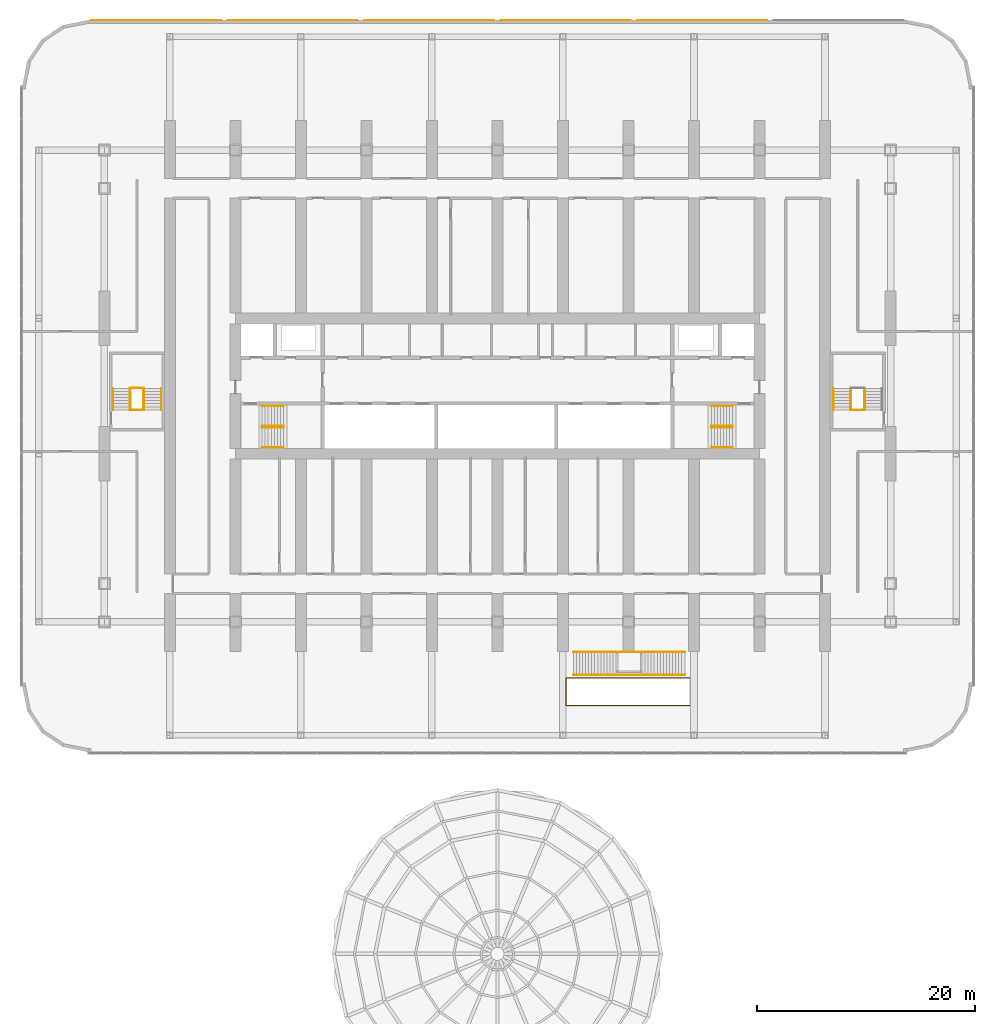
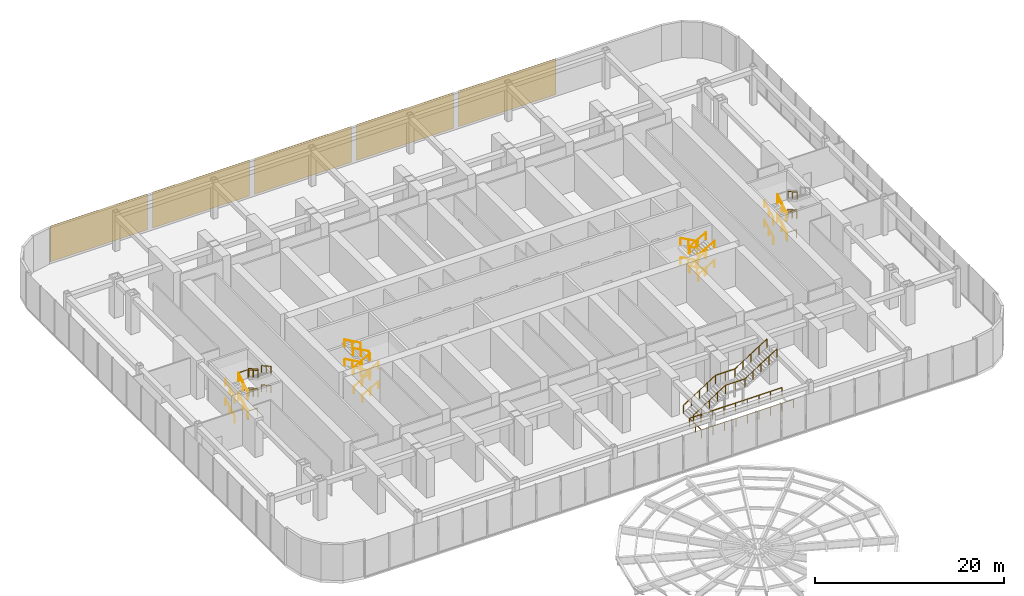
# One storey, part 36 of 37: 46 railings, 5 coverings.
"""IFC4 building model written with IfcOpenShell, lengths in metres."""

from ifc_helpers import new_model, si_unit, direction, frame, origin, origin_2d, place, context, subcontext, project, spatial, rectangle, circle, extrude, material, layer, layer_set, type_object, element, save


model = new_model("IFC4")

# Units and contexts
model_context = context("Model", 3, precision=1e-05, world=origin(), true_north=direction((0.0, 1.0)))
body_context = subcontext(model_context, "Body", "Model", "MODEL_VIEW")
ifc_project = project(units=[si_unit("LENGTHUNIT", "METRE"), si_unit("AREAUNIT", "SQUARE_METRE"), si_unit("VOLUMEUNIT", "CUBIC_METRE"), si_unit("PLANEANGLEUNIT", "RADIAN"), si_unit("MASSUNIT", "GRAM", prefix="KILO")], contexts=[model_context])

# Site, building, storey
site_placement = place(None, origin())
site = spatial("IfcSite", under=ifc_project, at=site_placement, CompositionType="ELEMENT")
building_placement = place(site_placement, origin())
building = spatial("IfcBuilding", under=site, at=building_placement, Name="Orbita Commons", CompositionType="ELEMENT")
storey_placement = place(building_placement, frame((0.0, 0.0, 6.0)))
storey = spatial("IfcBuildingStorey", under=building, at=storey_placement, Name="L01", CompositionType="ELEMENT", Elevation=6.0)

# Railings
ifc_material_1 = material(Name="Laminated glass, steel handrail", Category="steel")
railing_type_1 = type_object("IfcRailingType", Name="Feature stair balustrade, glass on steel stringer 1100", PredefinedType="BALUSTRADE", material=ifc_material_1)
railing_1_placement = place(storey_placement, frame((48.949951171875, 7.659912109375, 0.0)))
element("IfcRailing", 1, at=railing_1_placement, inside=storey, type_object=railing_type_1, Name="Grand stair L01 to L02 balustrade L", PredefinedType="BALUSTRADE", context=body_context, shape_type="SweptSolid", body=[
    extrude(circle(Radius=0.02490234375, at=origin_2d()), frame((0.0, 0.0, 1.0751953125), z_axis=(0.843140013903, 0.0, 0.53769407376), x_axis=(0.0, 1.0, 0.0)), (0.0, 0.0, 1.0), 4.6494140625),
    extrude(circle(Radius=0.02490234375, at=origin_2d()), frame((3.920166015625, 0.0, 3.5751953125), z_axis=(1.0, 0.0, 0.0), x_axis=(0.0, 1.0, 0.0)), (0.0, 0.0, 1.0), 2.369873046875),
    extrude(circle(Radius=0.02490234375, at=origin_2d()), frame((6.2900390625, 0.0, 3.5751953125), z_axis=(0.843124831705, 0.0, 0.537717879712), x_axis=(0.0, 1.0, 0.0)), (0.0, 0.0, 1.0), 4.649169921875),
    extrude(circle(Radius=0.02001953125, at=origin_2d()), origin(), (0.0, 0.0, 1.0), 1.050048828125),
    extrude(circle(Radius=0.02001953125, at=origin_2d()), frame((0.97998046875, 0.0, 0.625)), (0.0, 0.0, 1.0), 1.050048828125),
    extrude(circle(Radius=0.02001953125, at=origin_2d()), frame((1.9599609375, 0.0, 1.25)), (0.0, 0.0, 1.0), 1.050048828125),
    extrude(circle(Radius=0.02001953125, at=origin_2d()), frame((2.940185546875, 0.0, 1.875)), (0.0, 0.0, 1.0), 1.050048828125),
    extrude(circle(Radius=0.02001953125, at=origin_2d()), frame((3.920166015625, 0.0, 2.5)), (0.0, 0.0, 1.0), 1.050048828125),
    extrude(circle(Radius=0.02001953125, at=origin_2d()), frame((5.10498046875, 0.0, 2.5)), (0.0, 0.0, 1.0), 1.050048828125),
    extrude(circle(Radius=0.02001953125, at=origin_2d()), frame((6.2900390625, 0.0, 2.5)), (0.0, 0.0, 1.0), 1.050048828125),
    extrude(circle(Radius=0.02001953125, at=origin_2d()), frame((7.27001953125, 0.0, 3.125)), (0.0, 0.0, 1.0), 1.050048828125),
    extrude(circle(Radius=0.02001953125, at=origin_2d()), frame((8.25, 0.0, 3.75)), (0.0, 0.0, 1.0), 1.050048828125),
    extrude(circle(Radius=0.02001953125, at=origin_2d()), frame((9.22998046875, 0.0, 4.375)), (0.0, 0.0, 1.0), 1.050048828125),
    extrude(circle(Radius=0.02001953125, at=origin_2d()), frame((10.2099609375, 0.0, 5.0)), (0.0, 0.0, 1.0), 1.050048828125),
])
railing_2_placement = place(storey_placement, frame((48.949951171875, 5.5400390625, 0.0)))
element("IfcRailing", 2, at=railing_2_placement, inside=storey, type_object=railing_type_1, Name="Grand stair L01 to L02 balustrade R", PredefinedType="BALUSTRADE", context=body_context, shape_type="SweptSolid", body=[
    extrude(circle(Radius=0.02490234375, at=origin_2d()), frame((0.0, 0.0, 1.0751953125), z_axis=(0.843140013903, 0.0, 0.53769407376), x_axis=(0.0, 1.0, 0.0)), (0.0, 0.0, 1.0), 4.6494140625),
    extrude(circle(Radius=0.02490234375, at=origin_2d()), frame((3.920166015625, 0.0, 3.5751953125), z_axis=(1.0, 0.0, 0.0), x_axis=(0.0, 1.0, 0.0)), (0.0, 0.0, 1.0), 2.369873046875),
    extrude(circle(Radius=0.02490234375, at=origin_2d()), frame((6.2900390625, 0.0, 3.5751953125), z_axis=(0.843124831705, 0.0, 0.537717879712), x_axis=(0.0, 1.0, 0.0)), (0.0, 0.0, 1.0), 4.649169921875),
    extrude(circle(Radius=0.02001953125, at=origin_2d()), origin(), (0.0, 0.0, 1.0), 1.050048828125),
    extrude(circle(Radius=0.02001953125, at=origin_2d()), frame((0.97998046875, 0.0, 0.625)), (0.0, 0.0, 1.0), 1.050048828125),
    extrude(circle(Radius=0.02001953125, at=origin_2d()), frame((1.9599609375, 0.0, 1.25)), (0.0, 0.0, 1.0), 1.050048828125),
    extrude(circle(Radius=0.02001953125, at=origin_2d()), frame((2.940185546875, 0.0, 1.875)), (0.0, 0.0, 1.0), 1.050048828125),
    extrude(circle(Radius=0.02001953125, at=origin_2d()), frame((3.920166015625, 0.0, 2.5)), (0.0, 0.0, 1.0), 1.050048828125),
    extrude(circle(Radius=0.02001953125, at=origin_2d()), frame((5.10498046875, 0.0, 2.5)), (0.0, 0.0, 1.0), 1.050048828125),
    extrude(circle(Radius=0.02001953125, at=origin_2d()), frame((6.2900390625, 0.0, 2.5)), (0.0, 0.0, 1.0), 1.050048828125),
    extrude(circle(Radius=0.02001953125, at=origin_2d()), frame((7.27001953125, 0.0, 3.125)), (0.0, 0.0, 1.0), 1.050048828125),
    extrude(circle(Radius=0.02001953125, at=origin_2d()), frame((8.25, 0.0, 3.75)), (0.0, 0.0, 1.0), 1.050048828125),
    extrude(circle(Radius=0.02001953125, at=origin_2d()), frame((9.22998046875, 0.0, 4.375)), (0.0, 0.0, 1.0), 1.050048828125),
    extrude(circle(Radius=0.02001953125, at=origin_2d()), frame((10.2099609375, 0.0, 5.0)), (0.0, 0.0, 1.0), 1.050048828125),
])

# Coverings
ifc_material_2 = material(Name="Glass mosaic tesserae on precast backing", Category="concrete")
ifc_layer = layer(ifc_material_2, 0.02001953125)
ifc_layer_set = layer_set([ifc_layer], Name="Glass mosaic tesserae on precast backing")
covering_type = type_object("IfcCoveringType", Name="Mosaic cladding panel 20", PredefinedType="CLADDING", material=ifc_layer_set)
for number, where, z_axis, x_axis, name in (
    (3, (60.75, 65.510009765625, 0.0), (0.0, 0.0, 1.0), (1.0, 0.0, 0.0), "Mosaic mural panel L01 2"),
    (4, (48.25, 65.510009765625, 0.0), (0.0, 0.0, 1.0), (1.0, 0.0, 0.0), "Mosaic mural panel L01 3"),
    (5, (35.75, 65.510009765625, 0.0), (0.0, 0.0, 1.0), (1.0, 0.0, 0.0), "Mosaic mural panel L01 4"),
    (6, (23.25, 65.510009765625, 0.0), (0.0, 0.0, 1.0), (1.0, 0.0, 0.0), "Mosaic mural panel L01 5"),
    (7, (10.75, 65.510009765625, 0.0), (0.0, 0.0, 1.0), (1.0, 0.0, 0.0), "Mosaic mural panel L01 6"),
):
    element("IfcCovering", number, at=place(storey_placement, frame(where, z_axis=z_axis, x_axis=x_axis)), inside=storey, type_object=covering_type, Name=name, PredefinedType="CLADDING", context=body_context, shape_type="SweptSolid", body=[
        extrude(rectangle(XDim=11.89990234375, YDim=0.02001953125, at=origin_2d()), origin(), (0.0, 0.0, 1.0), 4.64990234375),
    ])

# Railings
ifc_material_3 = material(Name="Steel tube, painted", Category="steel")
railing_type_2 = type_object("IfcRailingType", Name="Stair handrail steel tube 900", PredefinedType="HANDRAIL", material=ifc_material_3)
for number, where, name in (
    (8, (20.449951171875, 28.18994140625, 0.15625), "Stair S1 handrail L01 flight 1"),
    (9, (20.449951171875, 26.360107421875, 0.15625), "Stair S1 handrail L01 flight 1"),
):
    element("IfcRailing", number, at=place(storey_placement, frame(where)), inside=storey, type_object=railing_type_2, Name=name, PredefinedType="HANDRAIL", context=body_context, shape_type="SweptSolid", body=[
        extrude(circle(Radius=0.02099609375, at=origin_2d()), frame((0.0, 0.0, 0.87890625), z_axis=(0.873232148454, 0.0, 0.487304437602), x_axis=(0.0, 1.0, 0.0)), (0.0, 0.0, 1.0), 2.244384765625),
        extrude(circle(Radius=0.02001953125, at=origin_2d()), origin(), (0.0, 0.0, 1.0), 0.85791015625),
        extrude(circle(Radius=0.02001953125, at=origin_2d()), frame((0.97998046875, 0.0, 0.546875)), (0.0, 0.0, 1.0), 0.85791015625),
        extrude(circle(Radius=0.02001953125, at=origin_2d()), frame((1.9599609375, 0.0, 1.09375)), (0.0, 0.0, 1.0), 0.85791015625),
    ])
for number, where, name in (
    (10, (22.409912109375, 28.360107421875, 1.40625), "Stair S1 handrail L01 flight 2"),
    (11, (22.409912109375, 30.18994140625, 1.40625), "Stair S1 handrail L01 flight 2"),
):
    element("IfcRailing", number, at=place(storey_placement, frame(where)), inside=storey, type_object=railing_type_2, Name=name, PredefinedType="HANDRAIL", context=body_context, shape_type="SweptSolid", body=[
        extrude(circle(Radius=0.02099609375, at=origin_2d()), frame((0.0, 0.0, 0.87890625), z_axis=(-0.873232148454, 0.0, 0.487304437602), x_axis=(0.0, -1.0, 0.0)), (0.0, 0.0, 1.0), 2.244384765625),
        extrude(circle(Radius=0.02001953125, at=origin_2d()), origin(), (0.0, 0.0, 1.0), 0.85791015625),
        extrude(circle(Radius=0.02001953125, at=origin_2d()), frame((-0.97998046875, 0.0, 0.546875)), (0.0, 0.0, 1.0), 0.85791015625),
        extrude(circle(Radius=0.02001953125, at=origin_2d()), frame((-1.9599609375, 0.0, 1.09375)), (0.0, 0.0, 1.0), 0.85791015625),
    ])
for number, where, name in (
    (12, (20.449951171875, 28.18994140625, 2.65625), "Stair S1 handrail L01 flight 3"),
    (13, (20.449951171875, 26.360107421875, 2.65625), "Stair S1 handrail L01 flight 3"),
):
    element("IfcRailing", number, at=place(storey_placement, frame(where)), inside=storey, type_object=railing_type_2, Name=name, PredefinedType="HANDRAIL", context=body_context, shape_type="SweptSolid", body=[
        extrude(circle(Radius=0.02099609375, at=origin_2d()), frame((0.0, 0.0, 0.87890625), z_axis=(0.873232148454, 0.0, 0.487304437602), x_axis=(0.0, 1.0, 0.0)), (0.0, 0.0, 1.0), 2.244384765625),
        extrude(circle(Radius=0.02001953125, at=origin_2d()), origin(), (0.0, 0.0, 1.0), 0.85791015625),
        extrude(circle(Radius=0.02001953125, at=origin_2d()), frame((0.97998046875, 0.0, 0.546875)), (0.0, 0.0, 1.0), 0.85791015625),
        extrude(circle(Radius=0.02001953125, at=origin_2d()), frame((1.9599609375, 0.0, 1.09375)), (0.0, 0.0, 1.0), 0.85791015625),
    ])
for number, where, name in (
    (14, (22.409912109375, 28.360107421875, 3.90625), "Stair S1 handrail L01 flight 4"),
    (15, (22.409912109375, 30.18994140625, 3.90625), "Stair S1 handrail L01 flight 4"),
    (16, (63.550048828125, 28.360107421875, 0.15625), "Stair S2 handrail L01 flight 1"),
    (17, (63.550048828125, 30.18994140625, 0.15625), "Stair S2 handrail L01 flight 1"),
):
    element("IfcRailing", number, at=place(storey_placement, frame(where)), inside=storey, type_object=railing_type_2, Name=name, PredefinedType="HANDRAIL", context=body_context, shape_type="SweptSolid", body=[
        extrude(circle(Radius=0.02099609375, at=origin_2d()), frame((0.0, 0.0, 0.87890625), z_axis=(-0.873232148454, 0.0, 0.487304437602), x_axis=(0.0, -1.0, 0.0)), (0.0, 0.0, 1.0), 2.244384765625),
        extrude(circle(Radius=0.02001953125, at=origin_2d()), origin(), (0.0, 0.0, 1.0), 0.85791015625),
        extrude(circle(Radius=0.02001953125, at=origin_2d()), frame((-0.97998046875, 0.0, 0.546875)), (0.0, 0.0, 1.0), 0.85791015625),
        extrude(circle(Radius=0.02001953125, at=origin_2d()), frame((-1.9599609375, 0.0, 1.09375)), (0.0, 0.0, 1.0), 0.85791015625),
    ])
for number, where, name in (
    (18, (61.590087890625, 28.18994140625, 1.40625), "Stair S2 handrail L01 flight 2"),
    (19, (61.590087890625, 26.360107421875, 1.40625), "Stair S2 handrail L01 flight 2"),
):
    element("IfcRailing", number, at=place(storey_placement, frame(where)), inside=storey, type_object=railing_type_2, Name=name, PredefinedType="HANDRAIL", context=body_context, shape_type="SweptSolid", body=[
        extrude(circle(Radius=0.02099609375, at=origin_2d()), frame((0.0, 0.0, 0.87890625), z_axis=(0.873232148454, 0.0, 0.487304437602), x_axis=(0.0, 1.0, 0.0)), (0.0, 0.0, 1.0), 2.244384765625),
        extrude(circle(Radius=0.02001953125, at=origin_2d()), origin(), (0.0, 0.0, 1.0), 0.85791015625),
        extrude(circle(Radius=0.02001953125, at=origin_2d()), frame((0.97998046875, 0.0, 0.546875)), (0.0, 0.0, 1.0), 0.85791015625),
        extrude(circle(Radius=0.02001953125, at=origin_2d()), frame((1.9599609375, 0.0, 1.09375)), (0.0, 0.0, 1.0), 0.85791015625),
    ])
for number, where, name in (
    (20, (63.550048828125, 28.360107421875, 2.65625), "Stair S2 handrail L01 flight 3"),
    (21, (63.550048828125, 30.18994140625, 2.65625), "Stair S2 handrail L01 flight 3"),
):
    element("IfcRailing", number, at=place(storey_placement, frame(where)), inside=storey, type_object=railing_type_2, Name=name, PredefinedType="HANDRAIL", context=body_context, shape_type="SweptSolid", body=[
        extrude(circle(Radius=0.02099609375, at=origin_2d()), frame((0.0, 0.0, 0.87890625), z_axis=(-0.873232148454, 0.0, 0.487304437602), x_axis=(0.0, -1.0, 0.0)), (0.0, 0.0, 1.0), 2.244384765625),
        extrude(circle(Radius=0.02001953125, at=origin_2d()), origin(), (0.0, 0.0, 1.0), 0.85791015625),
        extrude(circle(Radius=0.02001953125, at=origin_2d()), frame((-0.97998046875, 0.0, 0.546875)), (0.0, 0.0, 1.0), 0.85791015625),
        extrude(circle(Radius=0.02001953125, at=origin_2d()), frame((-1.9599609375, 0.0, 1.09375)), (0.0, 0.0, 1.0), 0.85791015625),
    ])
for number, where, name in (
    (22, (61.590087890625, 28.18994140625, 3.90625), "Stair S2 handrail L01 flight 4"),
    (23, (61.590087890625, 26.360107421875, 3.90625), "Stair S2 handrail L01 flight 4"),
):
    element("IfcRailing", number, at=place(storey_placement, frame(where)), inside=storey, type_object=railing_type_2, Name=name, PredefinedType="HANDRAIL", context=body_context, shape_type="SweptSolid", body=[
        extrude(circle(Radius=0.02099609375, at=origin_2d()), frame((0.0, 0.0, 0.87890625), z_axis=(0.873232148454, 0.0, 0.487304437602), x_axis=(0.0, 1.0, 0.0)), (0.0, 0.0, 1.0), 2.244384765625),
        extrude(circle(Radius=0.02001953125, at=origin_2d()), origin(), (0.0, 0.0, 1.0), 0.85791015625),
        extrude(circle(Radius=0.02001953125, at=origin_2d()), frame((0.97998046875, 0.0, 0.546875)), (0.0, 0.0, 1.0), 0.85791015625),
        extrude(circle(Radius=0.02001953125, at=origin_2d()), frame((1.9599609375, 0.0, 1.09375)), (0.0, 0.0, 1.0), 0.85791015625),
    ])
for number, where, name in (
    (24, (6.784912109375, 29.820068359375, 0.15625), "Stair PS1 handrail L01 flight 1"),
    (25, (8.35009765625, 29.820068359375, 0.15625), "Stair PS1 handrail L01 flight 1"),
):
    element("IfcRailing", number, at=place(storey_placement, frame(where)), inside=storey, type_object=railing_type_2, Name=name, PredefinedType="HANDRAIL", context=body_context, shape_type="SweptSolid", body=[
        extrude(circle(Radius=0.02099609375, at=origin_2d()), frame((0.0, 0.0, 0.87890625), z_axis=(0.0, 0.873232148454, 0.487304437602), x_axis=(-1.0, 0.0, 0.0)), (0.0, 0.0, 1.0), 2.244384765625),
        extrude(circle(Radius=0.02001953125, at=origin_2d()), origin(), (0.0, 0.0, 1.0), 0.85791015625),
        extrude(circle(Radius=0.02001953125, at=origin_2d()), frame((0.0, 0.97998046875, 0.546875)), (0.0, 0.0, 1.0), 0.85791015625),
        extrude(circle(Radius=0.02001953125, at=origin_2d()), frame((0.0, 1.9599609375, 1.09375)), (0.0, 0.0, 1.0), 0.85791015625),
    ])
for number, where, name in (
    (26, (11.215087890625, 31.780029296875, 1.40625), "Stair PS1 handrail L01 flight 2"),
    (27, (9.64990234375, 31.780029296875, 1.40625), "Stair PS1 handrail L01 flight 2"),
):
    element("IfcRailing", number, at=place(storey_placement, frame(where)), inside=storey, type_object=railing_type_2, Name=name, PredefinedType="HANDRAIL", context=body_context, shape_type="SweptSolid", body=[
        extrude(circle(Radius=0.02099609375, at=origin_2d()), frame((0.0, 0.0, 0.87890625), z_axis=(0.0, -0.873232148454, 0.487304437602), x_axis=(1.0, 0.0, 0.0)), (0.0, 0.0, 1.0), 2.244384765625),
        extrude(circle(Radius=0.02001953125, at=origin_2d()), origin(), (0.0, 0.0, 1.0), 0.85791015625),
        extrude(circle(Radius=0.02001953125, at=origin_2d()), frame((0.0, -0.97998046875, 0.546875)), (0.0, 0.0, 1.0), 0.85791015625),
        extrude(circle(Radius=0.02001953125, at=origin_2d()), frame((0.0, -1.9599609375, 1.09375)), (0.0, 0.0, 1.0), 0.85791015625),
    ])
for number, where, name in (
    (28, (6.784912109375, 29.820068359375, 2.65625), "Stair PS1 handrail L01 flight 3"),
    (29, (8.35009765625, 29.820068359375, 2.65625), "Stair PS1 handrail L01 flight 3"),
):
    element("IfcRailing", number, at=place(storey_placement, frame(where)), inside=storey, type_object=railing_type_2, Name=name, PredefinedType="HANDRAIL", context=body_context, shape_type="SweptSolid", body=[
        extrude(circle(Radius=0.02099609375, at=origin_2d()), frame((0.0, 0.0, 0.87890625), z_axis=(0.0, 0.873232148454, 0.487304437602), x_axis=(-1.0, 0.0, 0.0)), (0.0, 0.0, 1.0), 2.244384765625),
        extrude(circle(Radius=0.02001953125, at=origin_2d()), origin(), (0.0, 0.0, 1.0), 0.85791015625),
        extrude(circle(Radius=0.02001953125, at=origin_2d()), frame((0.0, 0.97998046875, 0.546875)), (0.0, 0.0, 1.0), 0.85791015625),
        extrude(circle(Radius=0.02001953125, at=origin_2d()), frame((0.0, 1.9599609375, 1.09375)), (0.0, 0.0, 1.0), 0.85791015625),
    ])
for number, where, name in (
    (30, (11.215087890625, 31.780029296875, 3.90625), "Stair PS1 handrail L01 flight 4"),
    (31, (9.64990234375, 31.780029296875, 3.90625), "Stair PS1 handrail L01 flight 4"),
):
    element("IfcRailing", number, at=place(storey_placement, frame(where)), inside=storey, type_object=railing_type_2, Name=name, PredefinedType="HANDRAIL", context=body_context, shape_type="SweptSolid", body=[
        extrude(circle(Radius=0.02099609375, at=origin_2d()), frame((0.0, 0.0, 0.87890625), z_axis=(0.0, -0.873232148454, 0.487304437602), x_axis=(1.0, 0.0, 0.0)), (0.0, 0.0, 1.0), 2.244384765625),
        extrude(circle(Radius=0.02001953125, at=origin_2d()), origin(), (0.0, 0.0, 1.0), 0.85791015625),
        extrude(circle(Radius=0.02001953125, at=origin_2d()), frame((0.0, -0.97998046875, 0.546875)), (0.0, 0.0, 1.0), 0.85791015625),
        extrude(circle(Radius=0.02001953125, at=origin_2d()), frame((0.0, -1.9599609375, 1.09375)), (0.0, 0.0, 1.0), 0.85791015625),
    ])
for number, where, name in (
    (32, (72.784912109375, 29.820068359375, 0.15625), "Stair PS2 handrail L01 flight 1"),
    (33, (74.35009765625, 29.820068359375, 0.15625), "Stair PS2 handrail L01 flight 1"),
):
    element("IfcRailing", number, at=place(storey_placement, frame(where)), inside=storey, type_object=railing_type_2, Name=name, PredefinedType="HANDRAIL", context=body_context, shape_type="SweptSolid", body=[
        extrude(circle(Radius=0.02099609375, at=origin_2d()), frame((0.0, 0.0, 0.87890625), z_axis=(0.0, 0.873232148454, 0.487304437602), x_axis=(-1.0, 0.0, 0.0)), (0.0, 0.0, 1.0), 2.244384765625),
        extrude(circle(Radius=0.02001953125, at=origin_2d()), origin(), (0.0, 0.0, 1.0), 0.85791015625),
        extrude(circle(Radius=0.02001953125, at=origin_2d()), frame((0.0, 0.97998046875, 0.546875)), (0.0, 0.0, 1.0), 0.85791015625),
        extrude(circle(Radius=0.02001953125, at=origin_2d()), frame((0.0, 1.9599609375, 1.09375)), (0.0, 0.0, 1.0), 0.85791015625),
    ])
railing_3_placement = place(storey_placement, frame((75.64990234375, 31.780029296875, 1.40625)))
element("IfcRailing", 34, at=railing_3_placement, inside=storey, type_object=railing_type_2, Name="Stair PS2 handrail L01 flight 2", PredefinedType="HANDRAIL", context=body_context, shape_type="SweptSolid", body=[
    extrude(circle(Radius=0.02099609375, at=origin_2d()), frame((0.0, 0.0, 0.87890625), z_axis=(0.0, -0.873232148454, 0.487304437602), x_axis=(1.0, 0.0, 0.0)), (0.0, 0.0, 1.0), 2.244384765625),
    extrude(circle(Radius=0.02001953125, at=origin_2d()), origin(), (0.0, 0.0, 1.0), 0.85791015625),
    extrude(circle(Radius=0.02001953125, at=origin_2d()), frame((0.0, -0.97998046875, 0.546875)), (0.0, 0.0, 1.0), 0.85791015625),
    extrude(circle(Radius=0.02001953125, at=origin_2d()), frame((0.0, -1.9599609375, 1.09375)), (0.0, 0.0, 1.0), 0.85791015625),
])
for number, where, name in (
    (35, (72.784912109375, 29.820068359375, 2.65625), "Stair PS2 handrail L01 flight 3"),
    (36, (74.35009765625, 29.820068359375, 2.65625), "Stair PS2 handrail L01 flight 3"),
):
    element("IfcRailing", number, at=place(storey_placement, frame(where)), inside=storey, type_object=railing_type_2, Name=name, PredefinedType="HANDRAIL", context=body_context, shape_type="SweptSolid", body=[
        extrude(circle(Radius=0.02099609375, at=origin_2d()), frame((0.0, 0.0, 0.87890625), z_axis=(0.0, 0.873232148454, 0.487304437602), x_axis=(-1.0, 0.0, 0.0)), (0.0, 0.0, 1.0), 2.244384765625),
        extrude(circle(Radius=0.02001953125, at=origin_2d()), origin(), (0.0, 0.0, 1.0), 0.85791015625),
        extrude(circle(Radius=0.02001953125, at=origin_2d()), frame((0.0, 0.97998046875, 0.546875)), (0.0, 0.0, 1.0), 0.85791015625),
        extrude(circle(Radius=0.02001953125, at=origin_2d()), frame((0.0, 1.9599609375, 1.09375)), (0.0, 0.0, 1.0), 0.85791015625),
    ])
railing_4_placement = place(storey_placement, frame((75.64990234375, 31.780029296875, 3.90625)))
element("IfcRailing", 37, at=railing_4_placement, inside=storey, type_object=railing_type_2, Name="Stair PS2 handrail L01 flight 4", PredefinedType="HANDRAIL", context=body_context, shape_type="SweptSolid", body=[
    extrude(circle(Radius=0.02099609375, at=origin_2d()), frame((0.0, 0.0, 0.87890625), z_axis=(0.0, -0.873232148454, 0.487304437602), x_axis=(1.0, 0.0, 0.0)), (0.0, 0.0, 1.0), 2.244384765625),
    extrude(circle(Radius=0.02001953125, at=origin_2d()), origin(), (0.0, 0.0, 1.0), 0.85791015625),
    extrude(circle(Radius=0.02001953125, at=origin_2d()), frame((0.0, -0.97998046875, 0.546875)), (0.0, 0.0, 1.0), 0.85791015625),
    extrude(circle(Radius=0.02001953125, at=origin_2d()), frame((0.0, -1.9599609375, 1.09375)), (0.0, 0.0, 1.0), 0.85791015625),
])
ifc_material_4 = material(Name="Steel balustrade, painted", Category="steel")
railing_type_3 = type_object("IfcRailingType", Name="Stair well guard, steel balustrade 1100", PredefinedType="GUARDRAIL", material=ifc_material_4)
railing_5_placement = place(storey_placement, frame((8.389892578125, 29.820068359375, 0.15625)))
element("IfcRailing", 38, at=railing_5_placement, inside=storey, type_object=railing_type_3, Name="Stair PS1 well guard L01 flight 1", PredefinedType="GUARDRAIL", context=body_context, shape_type="SweptSolid", body=[
    extrude(circle(Radius=0.02490234375, at=origin_2d()), frame((0.0, 0.0, 1.0751953125), z_axis=(0.0, 0.873232148454, 0.487304437602), x_axis=(-1.0, 0.0, 0.0)), (0.0, 0.0, 1.0), 2.244384765625),
    extrude(circle(Radius=0.02490234375, at=origin_2d()), origin(), (0.0, 0.0, 1.0), 1.050048828125),
    extrude(circle(Radius=0.02490234375, at=origin_2d()), frame((0.0, 0.97998046875, 0.546875)), (0.0, 0.0, 1.0), 1.050048828125),
    extrude(circle(Radius=0.02490234375, at=origin_2d()), frame((0.0, 1.9599609375, 1.09375)), (0.0, 0.0, 1.0), 1.050048828125),
])
railing_6_placement = place(storey_placement, frame((9.610107421875, 31.780029296875, 1.40625)))
element("IfcRailing", 39, at=railing_6_placement, inside=storey, type_object=railing_type_3, Name="Stair PS1 well guard L01 flight 2", PredefinedType="GUARDRAIL", context=body_context, shape_type="SweptSolid", body=[
    extrude(circle(Radius=0.02490234375, at=origin_2d()), frame((0.0, 0.0, 1.0751953125), z_axis=(0.0, -0.873232148454, 0.487304437602), x_axis=(1.0, 0.0, 0.0)), (0.0, 0.0, 1.0), 2.244384765625),
    extrude(circle(Radius=0.02490234375, at=origin_2d()), origin(), (0.0, 0.0, 1.0), 1.050048828125),
    extrude(circle(Radius=0.02490234375, at=origin_2d()), frame((0.0, -0.97998046875, 0.546875)), (0.0, 0.0, 1.0), 1.050048828125),
    extrude(circle(Radius=0.02490234375, at=origin_2d()), frame((0.0, -1.9599609375, 1.09375)), (0.0, 0.0, 1.0), 1.050048828125),
])
railing_7_placement = place(storey_placement, frame((8.389892578125, 29.820068359375, 2.65625)))
element("IfcRailing", 40, at=railing_7_placement, inside=storey, type_object=railing_type_3, Name="Stair PS1 well guard L01 flight 3", PredefinedType="GUARDRAIL", context=body_context, shape_type="SweptSolid", body=[
    extrude(circle(Radius=0.02490234375, at=origin_2d()), frame((0.0, 0.0, 1.0751953125), z_axis=(0.0, 0.873232148454, 0.487304437602), x_axis=(-1.0, 0.0, 0.0)), (0.0, 0.0, 1.0), 2.244384765625),
    extrude(circle(Radius=0.02490234375, at=origin_2d()), origin(), (0.0, 0.0, 1.0), 1.050048828125),
    extrude(circle(Radius=0.02490234375, at=origin_2d()), frame((0.0, 0.97998046875, 0.546875)), (0.0, 0.0, 1.0), 1.050048828125),
    extrude(circle(Radius=0.02490234375, at=origin_2d()), frame((0.0, 1.9599609375, 1.09375)), (0.0, 0.0, 1.0), 1.050048828125),
])
railing_8_placement = place(storey_placement, frame((9.610107421875, 31.780029296875, 3.90625)))
element("IfcRailing", 41, at=railing_8_placement, inside=storey, type_object=railing_type_3, Name="Stair PS1 well guard L01 flight 4", PredefinedType="GUARDRAIL", context=body_context, shape_type="SweptSolid", body=[
    extrude(circle(Radius=0.02490234375, at=origin_2d()), frame((0.0, 0.0, 1.0751953125), z_axis=(0.0, -0.873232148454, 0.487304437602), x_axis=(1.0, 0.0, 0.0)), (0.0, 0.0, 1.0), 2.244384765625),
    extrude(circle(Radius=0.02490234375, at=origin_2d()), origin(), (0.0, 0.0, 1.0), 1.050048828125),
    extrude(circle(Radius=0.02490234375, at=origin_2d()), frame((0.0, -0.97998046875, 0.546875)), (0.0, 0.0, 1.0), 1.050048828125),
    extrude(circle(Radius=0.02490234375, at=origin_2d()), frame((0.0, -1.9599609375, 1.09375)), (0.0, 0.0, 1.0), 1.050048828125),
])
for number, where, name in (
    (42, (8.409912109375, 29.7900390625, 0.0), "Stair PS1 landing well guard L01 1"),
    (43, (8.409912109375, 31.81005859375, 1.25), "Stair PS1 landing well guard L01 2"),
    (44, (8.409912109375, 29.7900390625, 2.5), "Stair PS1 landing well guard L01 3"),
    (45, (8.409912109375, 31.81005859375, 3.75), "Stair PS1 landing well guard L01 4"),
):
    element("IfcRailing", number, at=place(storey_placement, frame(where)), inside=storey, type_object=railing_type_3, Name=name, PredefinedType="GUARDRAIL", context=body_context, shape_type="SweptSolid", body=[
        extrude(circle(Radius=0.02490234375, at=origin_2d()), frame((0.0, 0.0, 1.0751953125), z_axis=(1.0, 0.0, 0.0), x_axis=(0.0, 1.0, 0.0)), (0.0, 0.0, 1.0), 1.18017578125),
        extrude(circle(Radius=0.02490234375, at=origin_2d()), origin(), (0.0, 0.0, 1.0), 1.050048828125),
        extrude(circle(Radius=0.02490234375, at=origin_2d()), frame((1.18017578125, 0.0, 0.0)), (0.0, 0.0, 1.0), 1.050048828125),
    ])
railing_9_placement = place(storey_placement, frame((74.389892578125, 29.820068359375, 0.15625)))
element("IfcRailing", 46, at=railing_9_placement, inside=storey, type_object=railing_type_3, Name="Stair PS2 well guard L01 flight 1", PredefinedType="GUARDRAIL", context=body_context, shape_type="SweptSolid", body=[
    extrude(circle(Radius=0.02490234375, at=origin_2d()), frame((0.0, 0.0, 1.0751953125), z_axis=(0.0, 0.873232148454, 0.487304437602), x_axis=(-1.0, 0.0, 0.0)), (0.0, 0.0, 1.0), 2.244384765625),
    extrude(circle(Radius=0.02490234375, at=origin_2d()), origin(), (0.0, 0.0, 1.0), 1.050048828125),
    extrude(circle(Radius=0.02490234375, at=origin_2d()), frame((0.0, 0.97998046875, 0.546875)), (0.0, 0.0, 1.0), 1.050048828125),
    extrude(circle(Radius=0.02490234375, at=origin_2d()), frame((0.0, 1.9599609375, 1.09375)), (0.0, 0.0, 1.0), 1.050048828125),
])
railing_10_placement = place(storey_placement, frame((75.610107421875, 31.780029296875, 1.40625)))
element("IfcRailing", 47, at=railing_10_placement, inside=storey, type_object=railing_type_3, Name="Stair PS2 well guard L01 flight 2", PredefinedType="GUARDRAIL", context=body_context, shape_type="SweptSolid", body=[
    extrude(circle(Radius=0.02490234375, at=origin_2d()), frame((0.0, 0.0, 1.0751953125), z_axis=(0.0, -0.873232148454, 0.487304437602), x_axis=(1.0, 0.0, 0.0)), (0.0, 0.0, 1.0), 2.244384765625),
    extrude(circle(Radius=0.02490234375, at=origin_2d()), origin(), (0.0, 0.0, 1.0), 1.050048828125),
    extrude(circle(Radius=0.02490234375, at=origin_2d()), frame((0.0, -0.97998046875, 0.546875)), (0.0, 0.0, 1.0), 1.050048828125),
    extrude(circle(Radius=0.02490234375, at=origin_2d()), frame((0.0, -1.9599609375, 1.09375)), (0.0, 0.0, 1.0), 1.050048828125),
])
railing_11_placement = place(storey_placement, frame((74.389892578125, 29.820068359375, 2.65625)))
element("IfcRailing", 48, at=railing_11_placement, inside=storey, type_object=railing_type_3, Name="Stair PS2 well guard L01 flight 3", PredefinedType="GUARDRAIL", context=body_context, shape_type="SweptSolid", body=[
    extrude(circle(Radius=0.02490234375, at=origin_2d()), frame((0.0, 0.0, 1.0751953125), z_axis=(0.0, 0.873232148454, 0.487304437602), x_axis=(-1.0, 0.0, 0.0)), (0.0, 0.0, 1.0), 2.244384765625),
    extrude(circle(Radius=0.02490234375, at=origin_2d()), origin(), (0.0, 0.0, 1.0), 1.050048828125),
    extrude(circle(Radius=0.02490234375, at=origin_2d()), frame((0.0, 0.97998046875, 0.546875)), (0.0, 0.0, 1.0), 1.050048828125),
    extrude(circle(Radius=0.02490234375, at=origin_2d()), frame((0.0, 1.9599609375, 1.09375)), (0.0, 0.0, 1.0), 1.050048828125),
])
for number, where, name in (
    (49, (74.409912109375, 29.7900390625, 0.0), "Stair PS2 landing well guard L01 1"),
    (50, (74.409912109375, 29.7900390625, 2.5), "Stair PS2 landing well guard L01 3"),
):
    element("IfcRailing", number, at=place(storey_placement, frame(where)), inside=storey, type_object=railing_type_3, Name=name, PredefinedType="GUARDRAIL", context=body_context, shape_type="SweptSolid", body=[
        extrude(circle(Radius=0.02490234375, at=origin_2d()), frame((0.0, 0.0, 1.0751953125), z_axis=(1.0, 0.0, 0.0), x_axis=(0.0, 1.0, 0.0)), (0.0, 0.0, 1.0), 1.18017578125),
        extrude(circle(Radius=0.02490234375, at=origin_2d()), origin(), (0.0, 0.0, 1.0), 1.050048828125),
        extrude(circle(Radius=0.02490234375, at=origin_2d()), frame((1.18017578125, 0.0, 0.0)), (0.0, 0.0, 1.0), 1.050048828125),
    ])
ifc_material_5 = material(Name="Laminated glass on steel posts", Category="steel")
railing_type_4 = type_object("IfcRailingType", Name="Void guard, glass on steel posts 1100", PredefinedType="GUARDRAIL", material=ifc_material_5)
railing_12_placement = place(storey_placement, frame((59.60009765625, 2.75, 0.0)))
element("IfcRailing", 51, at=railing_12_placement, inside=storey, type_object=railing_type_4, Name="Void guard L01", PredefinedType="GUARDRAIL", context=body_context, shape_type="SweptSolid", body=[
    extrude(circle(Radius=0.02490234375, at=origin_2d()), frame((0.0, 0.0, 1.0751953125), z_axis=(-1.0, 0.0, 0.0), x_axis=(0.0, -1.0, 0.0)), (0.0, 0.0, 1.0), 11.300048828125),
    extrude(circle(Radius=0.02490234375, at=origin_2d()), frame((-11.300048828125, 0.0, 1.0751953125), z_axis=(0.0, 1.0, 0.0), x_axis=(-1.0, 0.0, 0.0)), (0.0, 0.0, 1.0), 2.5),
    extrude(circle(Radius=0.02490234375, at=origin_2d()), frame((-11.300048828125, 2.5, 1.0751953125), z_axis=(1.0, 0.0, 0.0), x_axis=(0.0, 1.0, 0.0)), (0.0, 0.0, 1.0), 11.300048828125),
    extrude(circle(Radius=0.02490234375, at=origin_2d()), origin(), (0.0, 0.0, 1.0), 1.050048828125),
    extrude(circle(Radius=0.02490234375, at=origin_2d()), frame((-1.41259765625, 0.0, 0.0)), (0.0, 0.0, 1.0), 1.050048828125),
    extrude(circle(Radius=0.02490234375, at=origin_2d()), frame((-2.824951171875, 0.0, 0.0)), (0.0, 0.0, 1.0), 1.050048828125),
    extrude(circle(Radius=0.02490234375, at=origin_2d()), frame((-4.237548828125, 0.0, 0.0)), (0.0, 0.0, 1.0), 1.050048828125),
    extrude(circle(Radius=0.02490234375, at=origin_2d()), frame((-5.64990234375, 0.0, 0.0)), (0.0, 0.0, 1.0), 1.050048828125),
    extrude(circle(Radius=0.02490234375, at=origin_2d()), frame((-7.0625, 0.0, 0.0)), (0.0, 0.0, 1.0), 1.050048828125),
    extrude(circle(Radius=0.02490234375, at=origin_2d()), frame((-8.47509765625, 0.0, 0.0)), (0.0, 0.0, 1.0), 1.050048828125),
    extrude(circle(Radius=0.02490234375, at=origin_2d()), frame((-9.887451171875, 0.0, 0.0)), (0.0, 0.0, 1.0), 1.050048828125),
    extrude(circle(Radius=0.02490234375, at=origin_2d()), frame((-11.300048828125, 0.0, 0.0)), (0.0, 0.0, 1.0), 1.050048828125),
    extrude(circle(Radius=0.02490234375, at=origin_2d()), frame((-11.300048828125, 1.25, 0.0)), (0.0, 0.0, 1.0), 1.050048828125),
    extrude(circle(Radius=0.02490234375, at=origin_2d()), frame((-11.300048828125, 2.5, 0.0)), (0.0, 0.0, 1.0), 1.050048828125),
    extrude(circle(Radius=0.02490234375, at=origin_2d()), frame((-9.887451171875, 2.5, 0.0)), (0.0, 0.0, 1.0), 1.050048828125),
    extrude(circle(Radius=0.02490234375, at=origin_2d()), frame((-8.47509765625, 2.5, 0.0)), (0.0, 0.0, 1.0), 1.050048828125),
    extrude(circle(Radius=0.02490234375, at=origin_2d()), frame((-7.0625, 2.5, 0.0)), (0.0, 0.0, 1.0), 1.050048828125),
    extrude(circle(Radius=0.02490234375, at=origin_2d()), frame((-5.64990234375, 2.5, 0.0)), (0.0, 0.0, 1.0), 1.050048828125),
    extrude(circle(Radius=0.02490234375, at=origin_2d()), frame((-4.237548828125, 2.5, 0.0)), (0.0, 0.0, 1.0), 1.050048828125),
    extrude(circle(Radius=0.02490234375, at=origin_2d()), frame((-2.824951171875, 2.5, 0.0)), (0.0, 0.0, 1.0), 1.050048828125),
    extrude(circle(Radius=0.02490234375, at=origin_2d()), frame((-1.41259765625, 2.5, 0.0)), (0.0, 0.0, 1.0), 1.050048828125),
    extrude(circle(Radius=0.02490234375, at=origin_2d()), frame((0.0, 2.5, 0.0)), (0.0, 0.0, 1.0), 1.050048828125),
])

save(model, "model.ifc")
